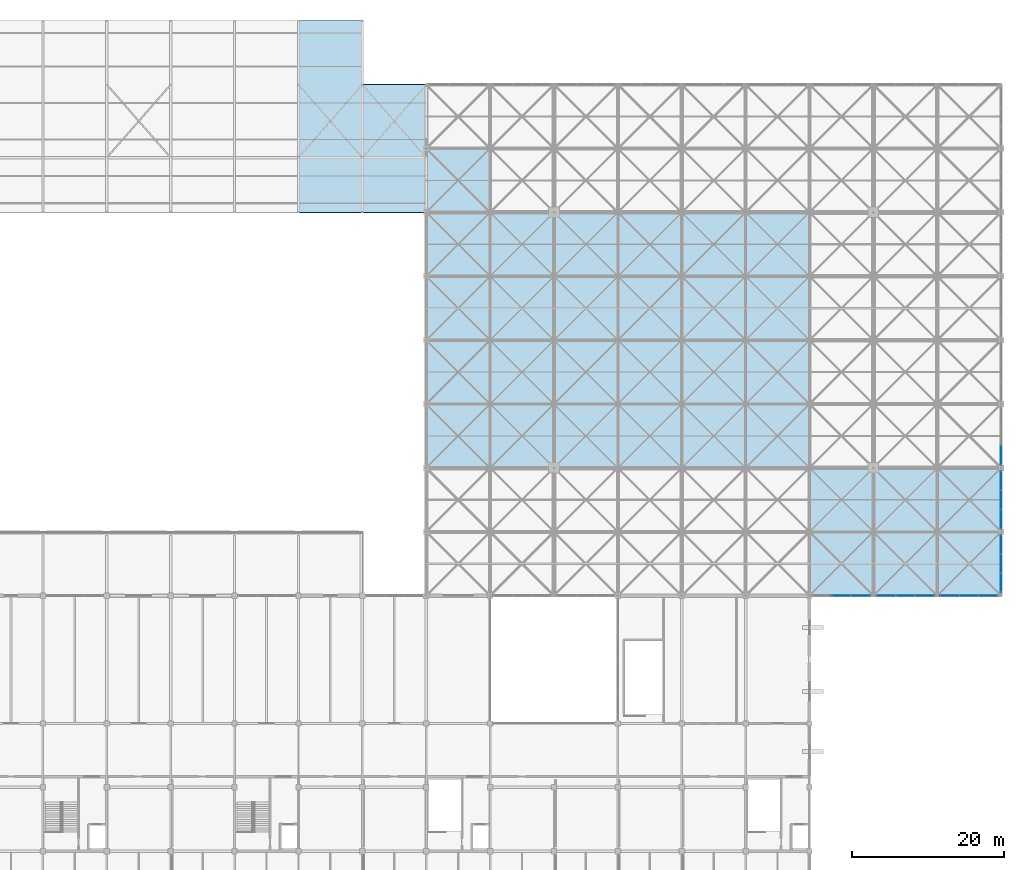
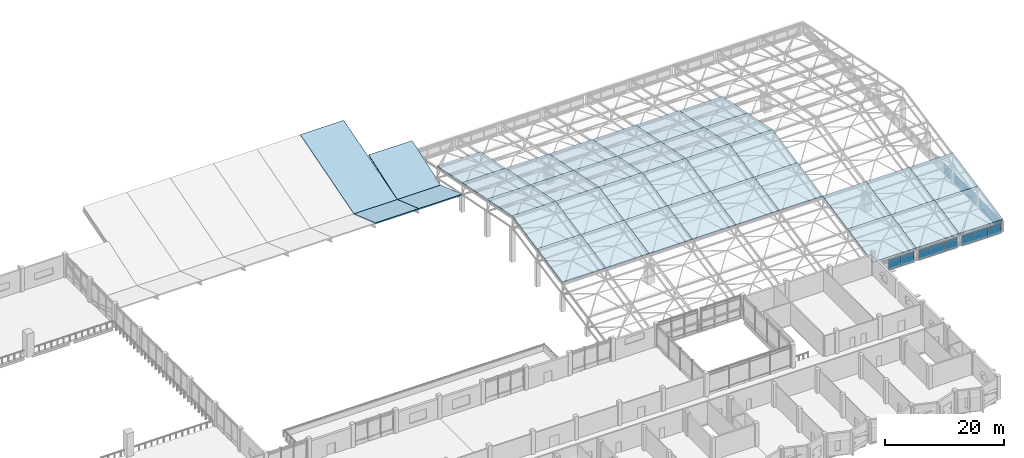
# One storey, part 79 of 110: 35 slabs, 30 plates, 6 elements without a shape of their own.
"""IFC4 building model written with IfcOpenShell, lengths in metres."""

import ifcopenshell
import ifcopenshell.guid

model = None  # the IFC model being written
_history = None  # IfcOwnerHistory: only IFC2X3 demands one
_inside = {}  # id of a spatial element -> (the spatial element, [elements in it])
_under = {}  # id of a project, library or spatial element -> (it, [spatial elements below it])
_declared = {}  # id of a project -> (the project, [libraries it declares])
_typed = {}  # id of a type object -> (the type object, [elements of that type])
_made_of = {}  # id of a material, layer set ... -> (it, [elements and type objects made of it])


def new_model(schema):
    """Start an empty IFC model of exactly this schema.

    Asked for "IFC4X3", IfcOpenShell would pick the latest addendum, in which some entities
    have other attributes; the version numbers below select the first issue.
    IFC2X3 requires an IfcOwnerHistory on every rooted entity: one is made here for all.
    """
    global model, _history
    if schema == "IFC4X3":
        model = ifcopenshell.file(schema_version=(4, 3, 0, 0))
    else:
        model = ifcopenshell.file(schema=schema)
    _inside.clear()
    _under.clear()
    _declared.clear()
    _typed.clear()
    _made_of.clear()
    _history = None
    if model.schema == "IFC2X3":
        org = make("IfcOrganization", Name="unknown")
        user = make(
            "IfcPersonAndOrganization",
            ThePerson=make("IfcPerson", FamilyName="unknown"),
            TheOrganization=org,
        )
        app = make(
            "IfcApplication",
            ApplicationDeveloper=org,
            Version="unknown",
            ApplicationFullName="unknown",
            ApplicationIdentifier="unknown",
        )
        _history = make(
            "IfcOwnerHistory",
            OwningUser=user,
            OwningApplication=app,
            ChangeAction="ADDED",
            CreationDate=0,
        )
    return model


def make(cls, **values):
    """One entity of the class cls with the attributes given. An attribute that is None is left unset."""
    return model.create_entity(
        cls, **{name: value for name, value in values.items() if value is not None}
    )


def rooted(cls, **values):
    """An entity with a GlobalId (a new one), such as an element, a storey or a relation."""
    return make(cls, GlobalId=ifcopenshell.guid.new(), OwnerHistory=_history, **values)


def si_unit(unit_type, name, prefix=None):
    """IfcSIUnit, for example si_unit("LENGTHUNIT", "METRE", prefix="MILLI")."""
    return make("IfcSIUnit", UnitType=unit_type, Prefix=prefix, Name=name)


def assignment(units):
    """IfcUnitAssignment: the units of a project."""
    return None if units is None else make("IfcUnitAssignment", Units=units)


def point(xyz):
    """IfcCartesianPoint."""
    return None if xyz is None else make("IfcCartesianPoint", Coordinates=xyz)


def direction(xyz):
    """IfcDirection."""
    return None if xyz is None else make("IfcDirection", DirectionRatios=xyz)


def frame(location, z_axis=None, x_axis=None):
    """IfcAxis2Placement3D, a coordinate frame: its origin and axes. An axis left out is left unset."""
    return make(
        "IfcAxis2Placement3D",
        Location=point(location),
        Axis=direction(z_axis),
        RefDirection=direction(x_axis),
    )


def frame_2d(location, x_axis=None):
    """IfcAxis2Placement2D, a coordinate frame in the plane: its origin and x axis."""
    return make(
        "IfcAxis2Placement2D", Location=point(location), RefDirection=direction(x_axis)
    )


def origin():
    """The frame at (0, 0, 0) with its axes left unset."""
    return frame((0.0, 0.0, 0.0))


def place(relative_to, where):
    """IfcLocalPlacement: puts the frame where relative to a parent placement (None: the world)."""
    return make(
        "IfcLocalPlacement", PlacementRelTo=relative_to, RelativePlacement=where
    )


def context(
    kind, dimensions, precision=None, world=None, true_north=None, identifier=None
):
    """IfcGeometricRepresentationContext, for example the 3D "Model" context."""
    return make(
        "IfcGeometricRepresentationContext",
        ContextIdentifier=identifier,
        ContextType=kind,
        CoordinateSpaceDimension=dimensions,
        Precision=precision,
        WorldCoordinateSystem=world,
        TrueNorth=true_north,
    )


def subcontext(parent, identifier, kind, view, scale=None):
    """IfcGeometricRepresentationSubContext, for example "Body" below "Model"."""
    return make(
        "IfcGeometricRepresentationSubContext",
        ContextIdentifier=identifier,
        ContextType=kind,
        ParentContext=parent,
        TargetScale=scale,
        TargetView=view,
    )


def project(units=None, contexts=None):
    """IfcProject with its units and contexts."""
    return rooted(
        "IfcProject",
        Name="project",
        RepresentationContexts=contexts,
        UnitsInContext=assignment(units),
    )


def spatial(cls, under=None, at=None, **own):
    """A site, building, storey or space (cls), placed at a placement, below another one or the project."""
    s = rooted(cls, ObjectPlacement=at, **own)
    if under is not None:
        _under.setdefault(under.id(), (under, []))[1].append(s)
    return s


def polyline(points):
    """IfcPolyline through the points."""
    return make("IfcPolyline", Points=[point(p) for p in points])


def profile(cls, at=None, kind="AREA", **sizes):
    """A parametric profile (cls). Its sizes go by their IFC names, for example OverallWidth=200.0."""
    return make(cls, ProfileType=kind, Position=at, **sizes)


def rectangle(**sizes):
    """IfcRectangleProfileDef."""
    return profile("IfcRectangleProfileDef", **sizes)


def outline(outer, holes=None, kind="AREA"):
    """IfcArbitraryClosedProfileDef: a profile drawn as a closed curve; with holes, ...WithVoids."""
    if holes is None:
        return make("IfcArbitraryClosedProfileDef", ProfileType=kind, OuterCurve=outer)
    return make(
        "IfcArbitraryProfileDefWithVoids",
        ProfileType=kind,
        OuterCurve=outer,
        InnerCurves=holes,
    )


def extrude(swept, where, along, depth):
    """IfcExtrudedAreaSolid: the profile swept, set in the frame where, extruded along a direction by depth."""
    return make(
        "IfcExtrudedAreaSolid",
        SweptArea=swept,
        Position=where,
        ExtrudedDirection=direction(along),
        Depth=depth,
    )


def shape(context_of_items, identifier, shape_type, items):
    """IfcShapeRepresentation: the items that make up one representation, for example the "Body"."""
    return make(
        "IfcShapeRepresentation",
        ContextOfItems=context_of_items,
        RepresentationIdentifier=identifier,
        RepresentationType=shape_type,
        Items=items,
    )


def material(Name=None, Category=None):
    """IfcMaterial."""
    return make("IfcMaterial", Name=Name, Category=Category)


def layer(
    of_material, thickness, ventilated=None, Name=None, Category=None, Priority=None
):
    """IfcMaterialLayer: one layer of a wall or slab, of a material (None: an air gap)."""
    return make(
        "IfcMaterialLayer",
        Material=of_material,
        LayerThickness=thickness,
        IsVentilated=ventilated,
        Name=Name,
        Category=Category,
        Priority=Priority,
    )


def layer_set(layers, Name=None):
    """IfcMaterialLayerSet."""
    return make("IfcMaterialLayerSet", MaterialLayers=layers, LayerSetName=Name)


def made_of(thing, what):
    """Note that an element or type object is made of a material, layer set ...; save() writes the relation."""
    if what is not None:
        _made_of.setdefault(what.id(), (what, []))[1].append(thing)
    return thing


def type_object(cls, material=None, **own):
    """A type object (cls), such as IfcWallType, which elements share."""
    return made_of(rooted(cls, **own), material)


def element(
    cls,
    number,
    at=None,
    inside=None,
    cuts=None,
    type_object=None,
    material=None,
    context=None,
    identifier="Body",
    shape_type=None,
    held_by="IfcProductDefinitionShape",
    body=None,
    shapes=None,
    **own,
):
    """One element of the class cls, such as IfcWall. Its Tag is "e" and its number.

    at: its placement. inside: the storey or other place that contains it. cuts: it is an
    opening in that element (IfcRelVoidsElement). A single representation is given by context,
    identifier, shape_type and body (its items); several are given by shapes. held_by: the class
    of the entity that holds the representations. save() writes the other relations.
    """
    e = rooted(cls, Tag="e%d" % number, ObjectPlacement=at, **own)
    if body is not None:
        shapes = [shape(context, identifier, shape_type, body)]
    if shapes is not None:
        e.Representation = make(held_by, Representations=shapes)
    if inside is not None:
        _inside.setdefault(inside.id(), (inside, []))[1].append(e)
    if cuts is not None:
        rooted(
            "IfcRelVoidsElement", RelatingBuildingElement=cuts, RelatedOpeningElement=e
        )
    if type_object is not None:
        _typed.setdefault(type_object.id(), (type_object, []))[1].append(e)
    return made_of(e, material)


def aggregate(whole, parts):
    """IfcRelAggregates: a whole, such as a stair, and the parts it consists of."""
    return rooted("IfcRelAggregates", RelatingObject=whole, RelatedObjects=parts)


def save(model, path):
    """Write the relations noted so far, then the file.

    IfcRelAggregates (storeys below a building ...), IfcRelContainedInSpatialStructure (elements
    in a storey), IfcRelDefinesByType, IfcRelAssociatesMaterial and IfcRelDeclares: one each for
    every whole, place, type object, material and project.
    """
    for whole, parts in _under.values():
        aggregate(whole, parts)
    for where, things in _inside.values():
        rooted(
            "IfcRelContainedInSpatialStructure",
            RelatedElements=things,
            RelatingStructure=where,
        )
    for kind, things in _typed.values():
        rooted("IfcRelDefinesByType", RelatedObjects=things, RelatingType=kind)
    for what, things in _made_of.values():
        rooted("IfcRelAssociatesMaterial", RelatedObjects=things, RelatingMaterial=what)
    for by, libraries in _declared.values():
        rooted("IfcRelDeclares", RelatingContext=by, RelatedDefinitions=libraries)
    model.write(path)


model = new_model("IFC4")

# Units and contexts
model_context = context("Model", 3, precision=1e-05, world=origin(), true_north=direction((0.0, 1.0)))
body_context = subcontext(model_context, "Body", "Model", "MODEL_VIEW")
ifc_project = project(units=[si_unit("LENGTHUNIT", "METRE"), si_unit("AREAUNIT", "SQUARE_METRE"), si_unit("VOLUMEUNIT", "CUBIC_METRE"), si_unit("PLANEANGLEUNIT", "RADIAN"), si_unit("MASSUNIT", "GRAM", prefix="KILO")], contexts=[model_context])

# Site, building, storey
site_placement = place(None, origin())
site = spatial("IfcSite", under=ifc_project, at=site_placement, CompositionType="ELEMENT")
building_placement = place(site_placement, origin())
building = spatial("IfcBuilding", under=site, at=building_placement, Name="Qawsi Khor Wholesale Market", CompositionType="ELEMENT")
storey_placement = place(building_placement, frame((0.0, 0.0, 11.39990234375)))
storey = spatial("IfcBuildingStorey", under=building, at=storey_placement, Name="L02", CompositionType="ELEMENT", Elevation=11.39990234375)

# Slabs
ifc_material_1 = material(Name="Concrete C40/50", Category="concrete")
ifc_layer_1 = layer(ifc_material_1, 0.2099609375, Name="Concrete C40/50")
ifc_layer_set_1 = layer_set([ifc_layer_1], Name="Concrete C40/50")
slab_type = type_object("IfcSlabType", Name="Sloped Insulated Roof Deck 210", PredefinedType="ROOF", material=ifc_layer_set_1)
slab_1_placement = place(storey_placement, frame((126.0, 92.39990234375, 3.4501953125), z_axis=(0.0, 0.328003748603, 0.944676421269), x_axis=(1.0, 0.0, 0.0)))
element("IfcSlab", 1, at=slab_1_placement, inside=storey, type_object=slab_type, Name="Auction Butterfly Roof South Wing 7", PredefinedType="ROOF", context=body_context, shape_type="SweptSolid", body=[
    extrude(outline(polyline([(0.0, 0.0), (8.39990234375, 0.0), (8.39990234375, 7.621864111760783), (0.0, 7.621864111760783), (0.0, 0.0)])), origin(), (0.0, 0.0, -1.0), 0.2099609375),
])
slab_2_placement = place(storey_placement, frame((126.0, 99.60009765625, 0.9501953125), z_axis=(0.0, -0.282445263719, 0.959283416412), x_axis=(1.0, 0.0, 0.0)))
element("IfcSlab", 2, at=slab_2_placement, inside=storey, type_object=slab_type, Name="Auction Butterfly Roof North Wing 7", PredefinedType="ROOF", context=body_context, shape_type="SweptSolid", body=[
    extrude(outline(polyline([(0.0, 0.0), (8.39990234375, 0.0), (8.39990234375, 18.76400622803262), (0.0, 18.76400622803262), (0.0, 0.0)])), origin(), (0.0, 0.0, -1.0), 0.2099609375),
])
slab_3_placement = place(storey_placement, frame((134.39990234375, 92.39990234375, 3.4501953125), z_axis=(0.0, 0.328003748603, 0.944676421269), x_axis=(1.0, 0.0, 0.0)))
element("IfcSlab", 3, at=slab_3_placement, inside=storey, type_object=slab_type, Name="Auction Butterfly Roof South Wing 8", PredefinedType="ROOF", context=body_context, shape_type="SweptSolid", body=[
    extrude(outline(polyline([(0.0, 0.0), (8.400146484375, 0.0), (8.400146484375, 7.6218641117607815), (0.0, 7.6218641117607815), (0.0, 0.0)])), origin(), (0.0, 0.0, -1.0), 0.2099609375),
])
slab_4_placement = place(storey_placement, frame((134.39990234375, 99.60009765625, 0.9501953125), z_axis=(0.0, -0.325066997544, 0.945690989229), x_axis=(1.0, 0.0, 0.0)))
element("IfcSlab", 4, at=slab_4_placement, inside=storey, type_object=slab_type, Name="Auction Butterfly Roof North Wing 8", PredefinedType="ROOF", context=body_context, shape_type="SweptSolid", body=[
    extrude(outline(polyline([(0.0, 0.0), (8.400146484375, 0.0), (8.400146484375, 10.151152569886072), (0.0, 10.151152569886072), (0.0, 0.0)])), origin(), (0.0, 0.0, -1.0), 0.2099609375),
])
slab_5_placement = place(storey_placement, frame((142.800048828125, 58.800048828125, 5.85009765625), z_axis=(0.0, -0.1983562496, 0.980129990483), x_axis=(1.0, 0.0, 0.0)))
element("IfcSlab", 5, at=slab_5_placement, inside=storey, type_object=slab_type, Name="Space frame roof deck EH (17,7)", PredefinedType="ROOF", context=body_context, shape_type="SweptSolid", body=[
    extrude(outline(polyline([(0.0, 0.0), (8.39990234375, 0.0), (8.39990234375, 8.570192143195854), (0.0, 8.570192143195854), (0.0, 0.0)])), origin(), (0.0, 0.0, -1.0), 0.2099609375),
])
slab_6_placement = place(storey_placement, frame((142.800048828125, 67.199951171875, 7.550048828125), z_axis=(0.0, -0.198350711418, 0.98013111127), x_axis=(1.0, 0.0, 0.0)))
element("IfcSlab", 6, at=slab_6_placement, inside=storey, type_object=slab_type, Name="Space frame roof deck EH (17,8)", PredefinedType="ROOF", context=body_context, shape_type="SweptSolid", body=[
    extrude(outline(polyline([(0.0, 0.0), (8.39990234375, 0.0), (8.39990234375, 8.570431432881128), (0.0, 8.570431432881128), (0.0, 0.0)])), origin(), (0.0, 0.0, -1.0), 0.2099609375),
])
for number, where, z_axis, x_axis, name in (
    (7, (142.800048828125, 75.60009765625, 9.25), (0.0, 0.1983562496, 0.980129990483), (1.0, 0.0, 0.0), "Space frame roof deck EH (17,9)"),
    (8, (142.800048828125, 84.0, 7.550048828125), (0.0, 0.1983562496, 0.980129990483), (1.0, 0.0, 0.0), "Space frame roof deck EH (17,10)"),
):
    element("IfcSlab", number, at=place(storey_placement, frame(where, z_axis=z_axis, x_axis=x_axis)), inside=storey, type_object=slab_type, Name=name, PredefinedType="ROOF", context=body_context, shape_type="SweptSolid", body=[
        extrude(outline(polyline([(0.0, 0.0), (8.39990234375, 0.0), (8.39990234375, 8.570192143195854), (0.0, 8.570192143195854), (0.0, 0.0)])), origin(), (0.0, 0.0, -1.0), 0.2099609375),
    ])
slab_7_placement = place(storey_placement, frame((142.800048828125, 92.39990234375, 5.85009765625), z_axis=(0.0, 0.198350711418, 0.98013111127), x_axis=(1.0, 0.0, 0.0)))
element("IfcSlab", 9, at=slab_7_placement, inside=storey, type_object=slab_type, Name="Space frame roof deck EH (17,11)", PredefinedType="ROOF", context=body_context, shape_type="SweptSolid", body=[
    extrude(outline(polyline([(0.0, 0.0), (8.39990234375, 0.0), (8.39990234375, 8.570431432881128), (0.0, 8.570431432881128), (0.0, 0.0)])), origin(), (0.0, 0.0, -1.0), 0.2099609375),
])
slab_8_placement = place(storey_placement, frame((151.199951171875, 58.800048828125, 5.85009765625), z_axis=(0.0, -0.1983562496, 0.980129990483), x_axis=(1.0, 0.0, 0.0)))
element("IfcSlab", 10, at=slab_8_placement, inside=storey, type_object=slab_type, Name="Space frame roof deck EH (18,7)", PredefinedType="ROOF", context=body_context, shape_type="SweptSolid", body=[
    extrude(outline(polyline([(0.0, 0.0), (8.400146484375, 0.0), (8.400146484375, 8.570192143195856), (0.0, 8.570192143195856), (0.0, 0.0)])), origin(), (0.0, 0.0, -1.0), 0.2099609375),
])
slab_9_placement = place(storey_placement, frame((151.199951171875, 67.199951171875, 7.550048828125), z_axis=(0.0, -0.198350711418, 0.98013111127), x_axis=(1.0, 0.0, 0.0)))
element("IfcSlab", 11, at=slab_9_placement, inside=storey, type_object=slab_type, Name="Space frame roof deck EH (18,8)", PredefinedType="ROOF", context=body_context, shape_type="SweptSolid", body=[
    extrude(outline(polyline([(0.0, 0.0), (8.400146484375, 0.0), (8.400146484375, 8.570431432881128), (0.0, 8.570431432881128), (0.0, 0.0)])), origin(), (0.0, 0.0, -1.0), 0.2099609375),
])
for number, where, z_axis, x_axis, name in (
    (12, (151.199951171875, 75.60009765625, 9.25), (0.0, 0.1983562496, 0.980129990483), (1.0, 0.0, 0.0), "Space frame roof deck EH (18,9)"),
    (13, (151.199951171875, 84.0, 7.550048828125), (0.0, 0.1983562496, 0.980129990483), (1.0, 0.0, 0.0), "Space frame roof deck EH (18,10)"),
):
    element("IfcSlab", number, at=place(storey_placement, frame(where, z_axis=z_axis, x_axis=x_axis)), inside=storey, type_object=slab_type, Name=name, PredefinedType="ROOF", context=body_context, shape_type="SweptSolid", body=[
        extrude(outline(polyline([(0.0, 0.0), (8.400146484375, 0.0), (8.400146484375, 8.570192143195856), (0.0, 8.570192143195856), (0.0, 0.0)])), origin(), (0.0, 0.0, -1.0), 0.2099609375),
    ])
slab_10_placement = place(storey_placement, frame((159.60009765625, 58.800048828125, 5.85009765625), z_axis=(0.0, -0.1983562496, 0.980129990483), x_axis=(1.0, 0.0, 0.0)))
element("IfcSlab", 14, at=slab_10_placement, inside=storey, type_object=slab_type, Name="Space frame roof deck EH (19,7)", PredefinedType="ROOF", context=body_context, shape_type="SweptSolid", body=[
    extrude(outline(polyline([(0.0, 0.0), (8.39990234375, 0.0), (8.39990234375, 8.570192143195854), (0.0, 8.570192143195854), (0.0, 0.0)])), origin(), (0.0, 0.0, -1.0), 0.2099609375),
])
slab_11_placement = place(storey_placement, frame((159.60009765625, 67.199951171875, 7.550048828125), z_axis=(0.0, -0.198350711418, 0.98013111127), x_axis=(1.0, 0.0, 0.0)))
element("IfcSlab", 15, at=slab_11_placement, inside=storey, type_object=slab_type, Name="Space frame roof deck EH (19,8)", PredefinedType="ROOF", context=body_context, shape_type="SweptSolid", body=[
    extrude(outline(polyline([(0.0, 0.0), (8.39990234375, 0.0), (8.39990234375, 8.570431432881128), (0.0, 8.570431432881128), (0.0, 0.0)])), origin(), (0.0, 0.0, -1.0), 0.2099609375),
])
for number, where, z_axis, x_axis, name in (
    (16, (159.60009765625, 75.60009765625, 9.25), (0.0, 0.1983562496, 0.980129990483), (1.0, 0.0, 0.0), "Space frame roof deck EH (19,9)"),
    (17, (159.60009765625, 84.0, 7.550048828125), (0.0, 0.1983562496, 0.980129990483), (1.0, 0.0, 0.0), "Space frame roof deck EH (19,10)"),
    (18, (168.0, 58.800048828125, 5.85009765625), (0.0, -0.1983562496, 0.980129990483), (1.0, 0.0, 0.0), "Space frame roof deck EH (20,7)"),
):
    element("IfcSlab", number, at=place(storey_placement, frame(where, z_axis=z_axis, x_axis=x_axis)), inside=storey, type_object=slab_type, Name=name, PredefinedType="ROOF", context=body_context, shape_type="SweptSolid", body=[
        extrude(outline(polyline([(0.0, 0.0), (8.39990234375, 0.0), (8.39990234375, 8.570192143195854), (0.0, 8.570192143195854), (0.0, 0.0)])), origin(), (0.0, 0.0, -1.0), 0.2099609375),
    ])
slab_12_placement = place(storey_placement, frame((168.0, 67.199951171875, 7.550048828125), z_axis=(0.0, -0.198350711418, 0.98013111127), x_axis=(1.0, 0.0, 0.0)))
element("IfcSlab", 19, at=slab_12_placement, inside=storey, type_object=slab_type, Name="Space frame roof deck EH (20,8)", PredefinedType="ROOF", context=body_context, shape_type="SweptSolid", body=[
    extrude(outline(polyline([(0.0, 0.0), (8.39990234375, 0.0), (8.39990234375, 8.570431432881128), (0.0, 8.570431432881128), (0.0, 0.0)])), origin(), (0.0, 0.0, -1.0), 0.2099609375),
])
for number, where, z_axis, x_axis, name in (
    (20, (168.0, 75.60009765625, 9.25), (0.0, 0.1983562496, 0.980129990483), (1.0, 0.0, 0.0), "Space frame roof deck EH (20,9)"),
    (21, (168.0, 84.0, 7.550048828125), (0.0, 0.1983562496, 0.980129990483), (1.0, 0.0, 0.0), "Space frame roof deck EH (20,10)"),
):
    element("IfcSlab", number, at=place(storey_placement, frame(where, z_axis=z_axis, x_axis=x_axis)), inside=storey, type_object=slab_type, Name=name, PredefinedType="ROOF", context=body_context, shape_type="SweptSolid", body=[
        extrude(outline(polyline([(0.0, 0.0), (8.39990234375, 0.0), (8.39990234375, 8.570192143195854), (0.0, 8.570192143195854), (0.0, 0.0)])), origin(), (0.0, 0.0, -1.0), 0.2099609375),
    ])
slab_13_placement = place(storey_placement, frame((176.39990234375, 58.800048828125, 5.85009765625), z_axis=(0.0, -0.1983562496, 0.980129990483), x_axis=(1.0, 0.0, 0.0)))
element("IfcSlab", 22, at=slab_13_placement, inside=storey, type_object=slab_type, Name="Space frame roof deck EH (21,7)", PredefinedType="ROOF", context=body_context, shape_type="SweptSolid", body=[
    extrude(outline(polyline([(0.0, 0.0), (8.400146484375, 0.0), (8.400146484375, 8.570192143195856), (0.0, 8.570192143195856), (0.0, 0.0)])), origin(), (0.0, 0.0, -1.0), 0.2099609375),
])
slab_14_placement = place(storey_placement, frame((176.39990234375, 67.199951171875, 7.550048828125), z_axis=(0.0, -0.198350711418, 0.98013111127), x_axis=(1.0, 0.0, 0.0)))
element("IfcSlab", 23, at=slab_14_placement, inside=storey, type_object=slab_type, Name="Space frame roof deck EH (21,8)", PredefinedType="ROOF", context=body_context, shape_type="SweptSolid", body=[
    extrude(outline(polyline([(0.0, 0.0), (8.400146484375, 0.0), (8.400146484375, 8.570431432881128), (0.0, 8.570431432881128), (0.0, 0.0)])), origin(), (0.0, 0.0, -1.0), 0.2099609375),
])
for number, where, z_axis, x_axis, name in (
    (24, (176.39990234375, 75.60009765625, 9.25), (0.0, 0.1983562496, 0.980129990483), (1.0, 0.0, 0.0), "Space frame roof deck EH (21,9)"),
    (25, (176.39990234375, 84.0, 7.550048828125), (0.0, 0.1983562496, 0.980129990483), (1.0, 0.0, 0.0), "Space frame roof deck EH (21,10)"),
):
    element("IfcSlab", number, at=place(storey_placement, frame(where, z_axis=z_axis, x_axis=x_axis)), inside=storey, type_object=slab_type, Name=name, PredefinedType="ROOF", context=body_context, shape_type="SweptSolid", body=[
        extrude(outline(polyline([(0.0, 0.0), (8.400146484375, 0.0), (8.400146484375, 8.570192143195856), (0.0, 8.570192143195856), (0.0, 0.0)])), origin(), (0.0, 0.0, -1.0), 0.2099609375),
    ])
slab_15_placement = place(storey_placement, frame((184.800048828125, 58.800048828125, 5.85009765625), z_axis=(0.0, -0.1983562496, 0.980129990483), x_axis=(1.0, 0.0, 0.0)))
element("IfcSlab", 26, at=slab_15_placement, inside=storey, type_object=slab_type, Name="Space frame roof deck EH (22,7)", PredefinedType="ROOF", context=body_context, shape_type="SweptSolid", body=[
    extrude(outline(polyline([(0.0, 0.0), (8.39990234375, 0.0), (8.39990234375, 8.570192143195854), (0.0, 8.570192143195854), (0.0, 0.0)])), origin(), (0.0, 0.0, -1.0), 0.2099609375),
])
slab_16_placement = place(storey_placement, frame((184.800048828125, 67.199951171875, 7.550048828125), z_axis=(0.0, -0.198350711418, 0.98013111127), x_axis=(1.0, 0.0, 0.0)))
element("IfcSlab", 27, at=slab_16_placement, inside=storey, type_object=slab_type, Name="Space frame roof deck EH (22,8)", PredefinedType="ROOF", context=body_context, shape_type="SweptSolid", body=[
    extrude(outline(polyline([(0.0, 0.0), (8.39990234375, 0.0), (8.39990234375, 8.570431432881128), (0.0, 8.570431432881128), (0.0, 0.0)])), origin(), (0.0, 0.0, -1.0), 0.2099609375),
])
for number, where, z_axis, x_axis, name in (
    (28, (184.800048828125, 75.60009765625, 9.25), (0.0, 0.1983562496, 0.980129990483), (1.0, 0.0, 0.0), "Space frame roof deck EH (22,9)"),
    (29, (184.800048828125, 84.0, 7.550048828125), (0.0, 0.1983562496, 0.980129990483), (1.0, 0.0, 0.0), "Space frame roof deck EH (22,10)"),
):
    element("IfcSlab", number, at=place(storey_placement, frame(where, z_axis=z_axis, x_axis=x_axis)), inside=storey, type_object=slab_type, Name=name, PredefinedType="ROOF", context=body_context, shape_type="SweptSolid", body=[
        extrude(outline(polyline([(0.0, 0.0), (8.39990234375, 0.0), (8.39990234375, 8.570192143195854), (0.0, 8.570192143195854), (0.0, 0.0)])), origin(), (0.0, 0.0, -1.0), 0.2099609375),
    ])
slab_17_placement = place(storey_placement, frame((193.199951171875, 42.0, 2.4501953125), z_axis=(0.0, -0.1983562496, 0.980129990483), x_axis=(1.0, 0.0, 0.0)))
element("IfcSlab", 30, at=slab_17_placement, inside=storey, type_object=slab_type, Name="Space frame roof deck EH (23,5)", PredefinedType="ROOF", context=body_context, shape_type="SweptSolid", body=[
    extrude(outline(polyline([(0.0, 0.0), (8.400146484375, 0.0), (8.400146484375, 8.570192143195856), (0.0, 8.570192143195856), (0.0, 0.0)])), origin(), (0.0, 0.0, -1.0), 0.2099609375),
])
slab_18_placement = place(storey_placement, frame((193.199951171875, 50.39990234375, 4.150146484375), z_axis=(0.0, -0.198350711418, 0.98013111127), x_axis=(1.0, 0.0, 0.0)))
element("IfcSlab", 31, at=slab_18_placement, inside=storey, type_object=slab_type, Name="Space frame roof deck EH (23,6)", PredefinedType="ROOF", context=body_context, shape_type="SweptSolid", body=[
    extrude(outline(polyline([(0.0, 0.0), (8.400146484375, 0.0), (8.400146484375, 8.570431432881128), (0.0, 8.570431432881128), (0.0, 0.0)])), origin(), (0.0, 0.0, -1.0), 0.2099609375),
])
slab_19_placement = place(storey_placement, frame((201.60009765625, 42.0, 2.4501953125), z_axis=(0.0, -0.1983562496, 0.980129990483), x_axis=(1.0, 0.0, 0.0)))
element("IfcSlab", 32, at=slab_19_placement, inside=storey, type_object=slab_type, Name="Space frame roof deck EH (24,5)", PredefinedType="ROOF", context=body_context, shape_type="SweptSolid", body=[
    extrude(outline(polyline([(0.0, 0.0), (8.39990234375, 0.0), (8.39990234375, 8.570192143195854), (0.0, 8.570192143195854), (0.0, 0.0)])), origin(), (0.0, 0.0, -1.0), 0.2099609375),
])
slab_20_placement = place(storey_placement, frame((201.60009765625, 50.39990234375, 4.150146484375), z_axis=(0.0, -0.198350711418, 0.98013111127), x_axis=(1.0, 0.0, 0.0)))
element("IfcSlab", 33, at=slab_20_placement, inside=storey, type_object=slab_type, Name="Space frame roof deck EH (24,6)", PredefinedType="ROOF", context=body_context, shape_type="SweptSolid", body=[
    extrude(outline(polyline([(0.0, 0.0), (8.39990234375, 0.0), (8.39990234375, 8.570431432881128), (0.0, 8.570431432881128), (0.0, 0.0)])), origin(), (0.0, 0.0, -1.0), 0.2099609375),
])
slab_21_placement = place(storey_placement, frame((210.0, 42.0, 2.4501953125), z_axis=(0.0, -0.1983562496, 0.980129990483), x_axis=(1.0, 0.0, 0.0)))
element("IfcSlab", 34, at=slab_21_placement, inside=storey, type_object=slab_type, Name="Space frame roof deck EH (25,5)", PredefinedType="ROOF", context=body_context, shape_type="SweptSolid", body=[
    extrude(outline(polyline([(0.0, 0.0), (8.39990234375, 0.0), (8.39990234375, 8.570192143195854), (0.0, 8.570192143195854), (0.0, 0.0)])), origin(), (0.0, 0.0, -1.0), 0.2099609375),
])
slab_22_placement = place(storey_placement, frame((210.0, 50.39990234375, 4.150146484375), z_axis=(0.0, -0.198350711418, 0.98013111127), x_axis=(1.0, 0.0, 0.0)))
element("IfcSlab", 35, at=slab_22_placement, inside=storey, type_object=slab_type, Name="Space frame roof deck EH (25,6)", PredefinedType="ROOF", context=body_context, shape_type="SweptSolid", body=[
    extrude(outline(polyline([(0.0, 0.0), (8.39990234375, 0.0), (8.39990234375, 8.570431432881128), (0.0, 8.570431432881128), (0.0, 0.0)])), origin(), (0.0, 0.0, -1.0), 0.2099609375),
])

# Curtain wall, plates
ifc_material_2 = material(Name="Aluminium Anodised Bronze", Category="aluminium")
ifc_layer_2 = layer(ifc_material_2, 0.199951171875, Name="Aluminium Anodised Bronze")
ifc_layer_set_2 = layer_set([ifc_layer_2], Name="Aluminium Anodised Bronze")
curtain_wall_type = type_object("IfcCurtainWallType", Name="Trading Hall North-Light Curtain Wall CW-03", PredefinedType="NOTDEFINED", material=ifc_layer_set_2)
curtain_wall_1_placement = place(storey_placement, origin())
curtain_wall_1 = element("IfcCurtainWall", 36, at=curtain_wall_1_placement, inside=storey, type_object=curtain_wall_type, Name="Curtain wall CW-CW-03-L02-130", PredefinedType="NOTDEFINED")
ifc_material_3 = material(Name="Tempered Low-E Solar Glass", Category="glass")
ifc_layer_3 = layer(ifc_material_3, 0.0419921875, Name="Tempered Low-E Solar Glass")
ifc_layer_set_3 = layer_set([ifc_layer_3], Name="Tempered Low-E Solar Glass")
plate_type = type_object("IfcPlateType", Name="Solar Double-Glazed Unit CW-03 42mm", PredefinedType="CURTAIN_PANEL", material=ifc_layer_set_3)
plate_1_placement = place(storey_placement, frame((218.39990234375, 42.447509765625, -0.264892578125), z_axis=(0.0, 0.0, 1.0), x_axis=(0.0, 1.0, 0.0)))
plate_1 = element("IfcPlate", 37, at=plate_1_placement, type_object=plate_type, Name="Curtain panel CW-CW-03-L02-130-P0_00", PredefinedType="CURTAIN_PANEL", context=body_context, shape_type="SweptSolid", body=[
    extrude(rectangle(XDim=2.510009765625, YDim=0.0419921875, at=frame_2d((1.2548828125, 0.0))), origin(), (0.0, 0.0, 1.0), 1.7099609375),
])
plate_2_placement = place(storey_placement, frame((218.39990234375, 44.95751953125, -0.264892578125), z_axis=(0.0, 0.0, 1.0), x_axis=(0.0, 1.0, 0.0)))
plate_2 = element("IfcPlate", 38, at=plate_2_placement, type_object=plate_type, Name="Curtain panel CW-CW-03-L02-130-P0_01", PredefinedType="CURTAIN_PANEL", context=body_context, shape_type="SweptSolid", body=[
    extrude(rectangle(XDim=2.510009765625, YDim=0.0419921875, at=frame_2d((1.2548828125, 0.0))), origin(), (0.0, 0.0, 1.0), 1.7099609375),
])
plate_3_placement = place(storey_placement, frame((218.39990234375, 47.467529296875, -0.264892578125), z_axis=(0.0, 0.0, 1.0), x_axis=(0.0, 1.0, 0.0)))
plate_3 = element("IfcPlate", 39, at=plate_3_placement, type_object=plate_type, Name="Curtain panel CW-CW-03-L02-130-P0_02", PredefinedType="CURTAIN_PANEL", context=body_context, shape_type="SweptSolid", body=[
    extrude(rectangle(XDim=2.510009765625, YDim=0.0419921875, at=frame_2d((1.2548828125, 0.0))), origin(), (0.0, 0.0, 1.0), 1.7099609375),
])
plate_4_placement = place(storey_placement, frame((218.39990234375, 42.447509765625, 1.455078125), z_axis=(0.0, 0.0, 1.0), x_axis=(0.0, 1.0, 0.0)))
plate_4 = element("IfcPlate", 40, at=plate_4_placement, type_object=plate_type, Name="Curtain panel CW-CW-03-L02-130-P1_00", PredefinedType="CURTAIN_PANEL", context=body_context, shape_type="SweptSolid", body=[
    extrude(rectangle(XDim=2.510009765625, YDim=0.0419921875, at=frame_2d((1.2548828125, 0.0))), origin(), (0.0, 0.0, 1.0), 0.43994140625),
])
plate_5_placement = place(storey_placement, frame((218.39990234375, 44.95751953125, 1.455078125), z_axis=(0.0, 0.0, 1.0), x_axis=(0.0, 1.0, 0.0)))
plate_5 = element("IfcPlate", 41, at=plate_5_placement, type_object=plate_type, Name="Curtain panel CW-CW-03-L02-130-P1_01", PredefinedType="CURTAIN_PANEL", context=body_context, shape_type="SweptSolid", body=[
    extrude(rectangle(XDim=2.510009765625, YDim=0.0419921875, at=frame_2d((1.2548828125, 0.0))), origin(), (0.0, 0.0, 1.0), 0.43994140625),
])
plate_6_placement = place(storey_placement, frame((218.39990234375, 47.467529296875, 1.455078125), z_axis=(0.0, 0.0, 1.0), x_axis=(0.0, 1.0, 0.0)))
plate_6 = element("IfcPlate", 42, at=plate_6_placement, type_object=plate_type, Name="Curtain panel CW-CW-03-L02-130-P1_02", PredefinedType="CURTAIN_PANEL", context=body_context, shape_type="SweptSolid", body=[
    extrude(rectangle(XDim=2.510009765625, YDim=0.0419921875, at=frame_2d((1.2548828125, 0.0))), origin(), (0.0, 0.0, 1.0), 0.43994140625),
])
aggregate(curtain_wall_1, [plate_1, plate_2, plate_3, plate_4, plate_5, plate_6])

curtain_wall_2_placement = place(storey_placement, origin())
curtain_wall_2 = element("IfcCurtainWall", 43, at=curtain_wall_2_placement, inside=storey, type_object=curtain_wall_type, Name="Curtain wall CW-CW-03-L02-132", PredefinedType="NOTDEFINED")
plate_7_placement = place(storey_placement, frame((218.39990234375, 50.822509765625, -0.264892578125), z_axis=(0.0, 0.0, 1.0), x_axis=(0.0, 1.0, 0.0)))
plate_7 = element("IfcPlate", 44, at=plate_7_placement, type_object=plate_type, Name="Curtain panel CW-CW-03-L02-132-P0_00", PredefinedType="CURTAIN_PANEL", context=body_context, shape_type="SweptSolid", body=[
    extrude(rectangle(XDim=2.518310546875, YDim=0.0419921875, at=frame_2d((1.25927734375, 0.0))), origin(), (0.0, 0.0, 1.0), 1.7099609375),
])
plate_8_placement = place(storey_placement, frame((218.39990234375, 53.3408203125, -0.264892578125), z_axis=(0.0, 0.0, 1.0), x_axis=(0.0, 1.0, 0.0)))
plate_8 = element("IfcPlate", 45, at=plate_8_placement, type_object=plate_type, Name="Curtain panel CW-CW-03-L02-132-P0_01", PredefinedType="CURTAIN_PANEL", context=body_context, shape_type="SweptSolid", body=[
    extrude(rectangle(XDim=2.518310546875, YDim=0.0419921875, at=frame_2d((1.25927734375, 0.0))), origin(), (0.0, 0.0, 1.0), 1.7099609375),
])
plate_9_placement = place(storey_placement, frame((218.39990234375, 55.859130859375, -0.264892578125), z_axis=(0.0, 0.0, 1.0), x_axis=(0.0, 1.0, 0.0)))
plate_9 = element("IfcPlate", 46, at=plate_9_placement, type_object=plate_type, Name="Curtain panel CW-CW-03-L02-132-P0_02", PredefinedType="CURTAIN_PANEL", context=body_context, shape_type="SweptSolid", body=[
    extrude(rectangle(XDim=2.518310546875, YDim=0.0419921875, at=frame_2d((1.25927734375, 0.0))), origin(), (0.0, 0.0, 1.0), 1.7099609375),
])
plate_10_placement = place(storey_placement, frame((218.39990234375, 50.822509765625, 1.455078125), z_axis=(0.0, 0.0, 1.0), x_axis=(0.0, 1.0, 0.0)))
plate_10 = element("IfcPlate", 47, at=plate_10_placement, type_object=plate_type, Name="Curtain panel CW-CW-03-L02-132-P1_00", PredefinedType="CURTAIN_PANEL", context=body_context, shape_type="SweptSolid", body=[
    extrude(rectangle(XDim=2.518310546875, YDim=0.0419921875, at=frame_2d((1.25927734375, 0.0))), origin(), (0.0, 0.0, 1.0), 0.43994140625),
])
plate_11_placement = place(storey_placement, frame((218.39990234375, 53.3408203125, 1.455078125), z_axis=(0.0, 0.0, 1.0), x_axis=(0.0, 1.0, 0.0)))
plate_11 = element("IfcPlate", 48, at=plate_11_placement, type_object=plate_type, Name="Curtain panel CW-CW-03-L02-132-P1_01", PredefinedType="CURTAIN_PANEL", context=body_context, shape_type="SweptSolid", body=[
    extrude(rectangle(XDim=2.518310546875, YDim=0.0419921875, at=frame_2d((1.25927734375, 0.0))), origin(), (0.0, 0.0, 1.0), 0.43994140625),
])
plate_12_placement = place(storey_placement, frame((218.39990234375, 55.859130859375, 1.455078125), z_axis=(0.0, 0.0, 1.0), x_axis=(0.0, 1.0, 0.0)))
plate_12 = element("IfcPlate", 49, at=plate_12_placement, type_object=plate_type, Name="Curtain panel CW-CW-03-L02-132-P1_02", PredefinedType="CURTAIN_PANEL", context=body_context, shape_type="SweptSolid", body=[
    extrude(rectangle(XDim=2.518310546875, YDim=0.0419921875, at=frame_2d((1.25927734375, 0.0))), origin(), (0.0, 0.0, 1.0), 0.43994140625),
])
aggregate(curtain_wall_2, [plate_7, plate_8, plate_9, plate_10, plate_11, plate_12])

curtain_wall_3_placement = place(storey_placement, origin())
curtain_wall_3 = element("IfcCurtainWall", 50, at=curtain_wall_3_placement, inside=storey, type_object=curtain_wall_type, Name="Curtain wall CW-CW-03-L02-134", PredefinedType="NOTDEFINED")
plate_13_placement = place(storey_placement, frame((218.39990234375, 59.222412109375, -0.264892578125), z_axis=(0.0, 0.0, 1.0), x_axis=(0.0, 1.0, 0.0)))
plate_13 = element("IfcPlate", 51, at=plate_13_placement, type_object=plate_type, Name="Curtain panel CW-CW-03-L02-134-P0_00", PredefinedType="CURTAIN_PANEL", context=body_context, shape_type="SweptSolid", body=[
    extrude(rectangle(XDim=2.518310546875, YDim=0.0419921875, at=frame_2d((1.25927734375, 0.0))), origin(), (0.0, 0.0, 1.0), 1.7099609375),
])
plate_14_placement = place(storey_placement, frame((218.39990234375, 59.222412109375, 1.455078125), z_axis=(0.0, 0.0, 1.0), x_axis=(0.0, 1.0, 0.0)))
plate_14 = element("IfcPlate", 52, at=plate_14_placement, type_object=plate_type, Name="Curtain panel CW-CW-03-L02-134-P1_00", PredefinedType="CURTAIN_PANEL", context=body_context, shape_type="SweptSolid", body=[
    extrude(rectangle(XDim=2.518310546875, YDim=0.0419921875, at=frame_2d((1.25927734375, 0.0))), origin(), (0.0, 0.0, 1.0), 0.43994140625),
])
aggregate(curtain_wall_3, [plate_13, plate_14])

curtain_wall_4_placement = place(storey_placement, origin())
curtain_wall_4 = element("IfcCurtainWall", 53, at=curtain_wall_4_placement, inside=storey, type_object=curtain_wall_type, Name="Curtain wall CW-CW-03-L02-154", PredefinedType="NOTDEFINED")
plate_15_placement = place(storey_placement, frame((196.157470703125, 42.0, -0.264892578125), z_axis=(0.0, 0.0, 1.0), x_axis=(1.0, 0.0, 0.0)))
plate_15 = element("IfcPlate", 54, at=plate_15_placement, type_object=plate_type, Name="Curtain panel CW-CW-03-L02-154-P0_01", PredefinedType="CURTAIN_PANEL", context=body_context, shape_type="SweptSolid", body=[
    extrude(rectangle(XDim=2.510009765625, YDim=0.0419921875, at=frame_2d((1.2548828125, 0.0))), origin(), (0.0, 0.0, 1.0), 1.7099609375),
])
plate_16_placement = place(storey_placement, frame((198.66748046875, 42.0, -0.264892578125), z_axis=(0.0, 0.0, 1.0), x_axis=(1.0, 0.0, 0.0)))
plate_16 = element("IfcPlate", 55, at=plate_16_placement, type_object=plate_type, Name="Curtain panel CW-CW-03-L02-154-P0_02", PredefinedType="CURTAIN_PANEL", context=body_context, shape_type="SweptSolid", body=[
    extrude(rectangle(XDim=2.510009765625, YDim=0.0419921875, at=frame_2d((1.2548828125, 0.0))), origin(), (0.0, 0.0, 1.0), 1.7099609375),
])
plate_17_placement = place(storey_placement, frame((196.157470703125, 42.0, 1.455078125), z_axis=(0.0, 0.0, 1.0), x_axis=(1.0, 0.0, 0.0)))
plate_17 = element("IfcPlate", 56, at=plate_17_placement, type_object=plate_type, Name="Curtain panel CW-CW-03-L02-154-P1_01", PredefinedType="CURTAIN_PANEL", context=body_context, shape_type="SweptSolid", body=[
    extrude(rectangle(XDim=2.510009765625, YDim=0.0419921875, at=frame_2d((1.2548828125, 0.0))), origin(), (0.0, 0.0, 1.0), 0.43994140625),
])
plate_18_placement = place(storey_placement, frame((198.66748046875, 42.0, 1.455078125), z_axis=(0.0, 0.0, 1.0), x_axis=(1.0, 0.0, 0.0)))
plate_18 = element("IfcPlate", 57, at=plate_18_placement, type_object=plate_type, Name="Curtain panel CW-CW-03-L02-154-P1_02", PredefinedType="CURTAIN_PANEL", context=body_context, shape_type="SweptSolid", body=[
    extrude(rectangle(XDim=2.510009765625, YDim=0.0419921875, at=frame_2d((1.2548828125, 0.0))), origin(), (0.0, 0.0, 1.0), 0.43994140625),
])
aggregate(curtain_wall_4, [plate_15, plate_16, plate_17, plate_18])

curtain_wall_5_placement = place(storey_placement, origin())
curtain_wall_5 = element("IfcCurtainWall", 58, at=curtain_wall_5_placement, inside=storey, type_object=curtain_wall_type, Name="Curtain wall CW-CW-03-L02-155", PredefinedType="NOTDEFINED")
plate_19_placement = place(storey_placement, frame((202.0224609375, 42.0, -0.264892578125), z_axis=(0.0, 0.0, 1.0), x_axis=(1.0, 0.0, 0.0)))
plate_19 = element("IfcPlate", 59, at=plate_19_placement, type_object=plate_type, Name="Curtain panel CW-CW-03-L02-155-P0_00", PredefinedType="CURTAIN_PANEL", context=body_context, shape_type="SweptSolid", body=[
    extrude(rectangle(XDim=2.518310546875, YDim=0.0419921875, at=frame_2d((1.25927734375, 0.0))), origin(), (0.0, 0.0, 1.0), 1.7099609375),
])
plate_20_placement = place(storey_placement, frame((204.540771484375, 42.0, -0.264892578125), z_axis=(0.0, 0.0, 1.0), x_axis=(1.0, 0.0, 0.0)))
plate_20 = element("IfcPlate", 60, at=plate_20_placement, type_object=plate_type, Name="Curtain panel CW-CW-03-L02-155-P0_01", PredefinedType="CURTAIN_PANEL", context=body_context, shape_type="SweptSolid", body=[
    extrude(rectangle(XDim=2.518310546875, YDim=0.0419921875, at=frame_2d((1.25927734375, 0.0))), origin(), (0.0, 0.0, 1.0), 1.7099609375),
])
plate_21_placement = place(storey_placement, frame((207.05908203125, 42.0, -0.264892578125), z_axis=(0.0, 0.0, 1.0), x_axis=(1.0, 0.0, 0.0)))
plate_21 = element("IfcPlate", 61, at=plate_21_placement, type_object=plate_type, Name="Curtain panel CW-CW-03-L02-155-P0_02", PredefinedType="CURTAIN_PANEL", context=body_context, shape_type="SweptSolid", body=[
    extrude(rectangle(XDim=2.518310546875, YDim=0.0419921875, at=frame_2d((1.25927734375, 0.0))), origin(), (0.0, 0.0, 1.0), 1.7099609375),
])
plate_22_placement = place(storey_placement, frame((202.0224609375, 42.0, 1.455078125), z_axis=(0.0, 0.0, 1.0), x_axis=(1.0, 0.0, 0.0)))
plate_22 = element("IfcPlate", 62, at=plate_22_placement, type_object=plate_type, Name="Curtain panel CW-CW-03-L02-155-P1_00", PredefinedType="CURTAIN_PANEL", context=body_context, shape_type="SweptSolid", body=[
    extrude(rectangle(XDim=2.518310546875, YDim=0.0419921875, at=frame_2d((1.25927734375, 0.0))), origin(), (0.0, 0.0, 1.0), 0.43994140625),
])
plate_23_placement = place(storey_placement, frame((204.540771484375, 42.0, 1.455078125), z_axis=(0.0, 0.0, 1.0), x_axis=(1.0, 0.0, 0.0)))
plate_23 = element("IfcPlate", 63, at=plate_23_placement, type_object=plate_type, Name="Curtain panel CW-CW-03-L02-155-P1_01", PredefinedType="CURTAIN_PANEL", context=body_context, shape_type="SweptSolid", body=[
    extrude(rectangle(XDim=2.518310546875, YDim=0.0419921875, at=frame_2d((1.25927734375, 0.0))), origin(), (0.0, 0.0, 1.0), 0.43994140625),
])
plate_24_placement = place(storey_placement, frame((207.05908203125, 42.0, 1.455078125), z_axis=(0.0, 0.0, 1.0), x_axis=(1.0, 0.0, 0.0)))
plate_24 = element("IfcPlate", 64, at=plate_24_placement, type_object=plate_type, Name="Curtain panel CW-CW-03-L02-155-P1_02", PredefinedType="CURTAIN_PANEL", context=body_context, shape_type="SweptSolid", body=[
    extrude(rectangle(XDim=2.518310546875, YDim=0.0419921875, at=frame_2d((1.25927734375, 0.0))), origin(), (0.0, 0.0, 1.0), 0.43994140625),
])
aggregate(curtain_wall_5, [plate_19, plate_20, plate_21, plate_22, plate_23, plate_24])

curtain_wall_6_placement = place(storey_placement, origin())
curtain_wall_6 = element("IfcCurtainWall", 65, at=curtain_wall_6_placement, inside=storey, type_object=curtain_wall_type, Name="Curtain wall CW-CW-03-L02-156", PredefinedType="NOTDEFINED")
plate_25_placement = place(storey_placement, frame((210.422607421875, 42.0, -0.264892578125), z_axis=(0.0, 0.0, 1.0), x_axis=(1.0, 0.0, 0.0)))
plate_25 = element("IfcPlate", 66, at=plate_25_placement, type_object=plate_type, Name="Curtain panel CW-CW-03-L02-156-P0_00", PredefinedType="CURTAIN_PANEL", context=body_context, shape_type="SweptSolid", body=[
    extrude(rectangle(XDim=2.510009765625, YDim=0.0419921875, at=frame_2d((1.2548828125, 0.0))), origin(), (0.0, 0.0, 1.0), 1.7099609375),
])
plate_26_placement = place(storey_placement, frame((212.9326171875, 42.0, -0.264892578125), z_axis=(0.0, 0.0, 1.0), x_axis=(1.0, 0.0, 0.0)))
plate_26 = element("IfcPlate", 67, at=plate_26_placement, type_object=plate_type, Name="Curtain panel CW-CW-03-L02-156-P0_01", PredefinedType="CURTAIN_PANEL", context=body_context, shape_type="SweptSolid", body=[
    extrude(rectangle(XDim=2.509765625, YDim=0.0419921875, at=frame_2d((1.2548828125, 0.0))), origin(), (0.0, 0.0, 1.0), 1.7099609375),
])
plate_27_placement = place(storey_placement, frame((215.4423828125, 42.0, -0.264892578125), z_axis=(0.0, 0.0, 1.0), x_axis=(1.0, 0.0, 0.0)))
plate_27 = element("IfcPlate", 68, at=plate_27_placement, type_object=plate_type, Name="Curtain panel CW-CW-03-L02-156-P0_02", PredefinedType="CURTAIN_PANEL", context=body_context, shape_type="SweptSolid", body=[
    extrude(rectangle(XDim=2.510009765625, YDim=0.0419921875, at=frame_2d((1.2548828125, 0.0))), origin(), (0.0, 0.0, 1.0), 1.7099609375),
])
plate_28_placement = place(storey_placement, frame((210.422607421875, 42.0, 1.455078125), z_axis=(0.0, 0.0, 1.0), x_axis=(1.0, 0.0, 0.0)))
plate_28 = element("IfcPlate", 69, at=plate_28_placement, type_object=plate_type, Name="Curtain panel CW-CW-03-L02-156-P1_00", PredefinedType="CURTAIN_PANEL", context=body_context, shape_type="SweptSolid", body=[
    extrude(rectangle(XDim=2.510009765625, YDim=0.0419921875, at=frame_2d((1.2548828125, 0.0))), origin(), (0.0, 0.0, 1.0), 0.43994140625),
])
plate_29_placement = place(storey_placement, frame((212.9326171875, 42.0, 1.455078125), z_axis=(0.0, 0.0, 1.0), x_axis=(1.0, 0.0, 0.0)))
plate_29 = element("IfcPlate", 70, at=plate_29_placement, type_object=plate_type, Name="Curtain panel CW-CW-03-L02-156-P1_01", PredefinedType="CURTAIN_PANEL", context=body_context, shape_type="SweptSolid", body=[
    extrude(rectangle(XDim=2.509765625, YDim=0.0419921875, at=frame_2d((1.2548828125, 0.0))), origin(), (0.0, 0.0, 1.0), 0.43994140625),
])
plate_30_placement = place(storey_placement, frame((215.4423828125, 42.0, 1.455078125), z_axis=(0.0, 0.0, 1.0), x_axis=(1.0, 0.0, 0.0)))
plate_30 = element("IfcPlate", 71, at=plate_30_placement, type_object=plate_type, Name="Curtain panel CW-CW-03-L02-156-P1_02", PredefinedType="CURTAIN_PANEL", context=body_context, shape_type="SweptSolid", body=[
    extrude(rectangle(XDim=2.510009765625, YDim=0.0419921875, at=frame_2d((1.2548828125, 0.0))), origin(), (0.0, 0.0, 1.0), 0.43994140625),
])
aggregate(curtain_wall_6, [plate_25, plate_26, plate_27, plate_28, plate_29, plate_30])

save(model, "model.ifc")
